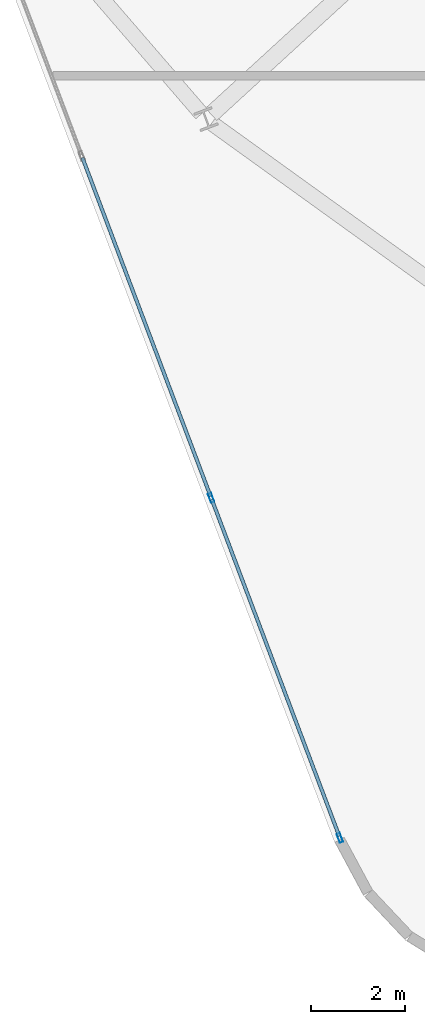
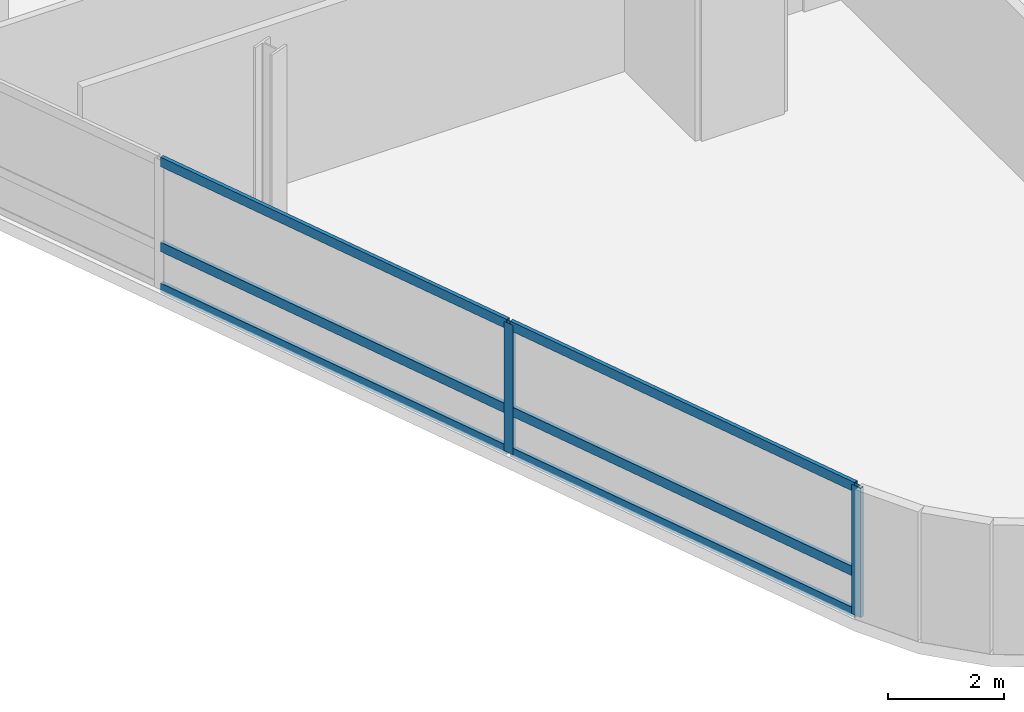
# One storey, part 3 of 19: 8 members, 1 element without a shape of its own.
"""IFC4 building model written with IfcOpenShell, lengths in metres."""

import ifcopenshell
import ifcopenshell.guid

model = None  # the IFC model being written
_history = None  # IfcOwnerHistory: only IFC2X3 demands one
_inside = {}  # id of a spatial element -> (the spatial element, [elements in it])
_under = {}  # id of a project, library or spatial element -> (it, [spatial elements below it])
_declared = {}  # id of a project -> (the project, [libraries it declares])
_typed = {}  # id of a type object -> (the type object, [elements of that type])
_made_of = {}  # id of a material, layer set ... -> (it, [elements and type objects made of it])


def new_model(schema):
    """Start an empty IFC model of exactly this schema.

    Asked for "IFC4X3", IfcOpenShell would pick the latest addendum, in which some entities
    have other attributes; the version numbers below select the first issue.
    IFC2X3 requires an IfcOwnerHistory on every rooted entity: one is made here for all.
    """
    global model, _history
    if schema == "IFC4X3":
        model = ifcopenshell.file(schema_version=(4, 3, 0, 0))
    else:
        model = ifcopenshell.file(schema=schema)
    _inside.clear()
    _under.clear()
    _declared.clear()
    _typed.clear()
    _made_of.clear()
    _history = None
    if model.schema == "IFC2X3":
        org = make("IfcOrganization", Name="unknown")
        user = make(
            "IfcPersonAndOrganization",
            ThePerson=make("IfcPerson", FamilyName="unknown"),
            TheOrganization=org,
        )
        app = make(
            "IfcApplication",
            ApplicationDeveloper=org,
            Version="unknown",
            ApplicationFullName="unknown",
            ApplicationIdentifier="unknown",
        )
        _history = make(
            "IfcOwnerHistory",
            OwningUser=user,
            OwningApplication=app,
            ChangeAction="ADDED",
            CreationDate=0,
        )
    return model


def make(cls, **values):
    """One entity of the class cls with the attributes given. An attribute that is None is left unset."""
    return model.create_entity(
        cls, **{name: value for name, value in values.items() if value is not None}
    )


def rooted(cls, **values):
    """An entity with a GlobalId (a new one), such as an element, a storey or a relation."""
    return make(cls, GlobalId=ifcopenshell.guid.new(), OwnerHistory=_history, **values)


def si_unit(unit_type, name, prefix=None):
    """IfcSIUnit, for example si_unit("LENGTHUNIT", "METRE", prefix="MILLI")."""
    return make("IfcSIUnit", UnitType=unit_type, Prefix=prefix, Name=name)


def assignment(units):
    """IfcUnitAssignment: the units of a project."""
    return None if units is None else make("IfcUnitAssignment", Units=units)


def point(xyz):
    """IfcCartesianPoint."""
    return None if xyz is None else make("IfcCartesianPoint", Coordinates=xyz)


def direction(xyz):
    """IfcDirection."""
    return None if xyz is None else make("IfcDirection", DirectionRatios=xyz)


def frame(location, z_axis=None, x_axis=None):
    """IfcAxis2Placement3D, a coordinate frame: its origin and axes. An axis left out is left unset."""
    return make(
        "IfcAxis2Placement3D",
        Location=point(location),
        Axis=direction(z_axis),
        RefDirection=direction(x_axis),
    )


def frame_2d(location, x_axis=None):
    """IfcAxis2Placement2D, a coordinate frame in the plane: its origin and x axis."""
    return make(
        "IfcAxis2Placement2D", Location=point(location), RefDirection=direction(x_axis)
    )


def origin():
    """The frame at (0, 0, 0) with its axes left unset."""
    return frame((0.0, 0.0, 0.0))


def origin_2d():
    """The frame at (0, 0) in the plane with its x axis left unset."""
    return frame_2d((0.0, 0.0))


def place(relative_to, where):
    """IfcLocalPlacement: puts the frame where relative to a parent placement (None: the world)."""
    return make(
        "IfcLocalPlacement", PlacementRelTo=relative_to, RelativePlacement=where
    )


def context(
    kind, dimensions, precision=None, world=None, true_north=None, identifier=None
):
    """IfcGeometricRepresentationContext, for example the 3D "Model" context."""
    return make(
        "IfcGeometricRepresentationContext",
        ContextIdentifier=identifier,
        ContextType=kind,
        CoordinateSpaceDimension=dimensions,
        Precision=precision,
        WorldCoordinateSystem=world,
        TrueNorth=true_north,
    )


def subcontext(parent, identifier, kind, view, scale=None):
    """IfcGeometricRepresentationSubContext, for example "Body" below "Model"."""
    return make(
        "IfcGeometricRepresentationSubContext",
        ContextIdentifier=identifier,
        ContextType=kind,
        ParentContext=parent,
        TargetScale=scale,
        TargetView=view,
    )


def project(units=None, contexts=None):
    """IfcProject with its units and contexts."""
    return rooted(
        "IfcProject",
        Name="project",
        RepresentationContexts=contexts,
        UnitsInContext=assignment(units),
    )


def spatial(cls, under=None, at=None, **own):
    """A site, building, storey or space (cls), placed at a placement, below another one or the project."""
    s = rooted(cls, ObjectPlacement=at, **own)
    if under is not None:
        _under.setdefault(under.id(), (under, []))[1].append(s)
    return s


def profile(cls, at=None, kind="AREA", **sizes):
    """A parametric profile (cls). Its sizes go by their IFC names, for example OverallWidth=200.0."""
    return make(cls, ProfileType=kind, Position=at, **sizes)


def hollow_rectangle(**sizes):
    """IfcRectangleHollowProfileDef."""
    return profile("IfcRectangleHollowProfileDef", **sizes)


def extrude(swept, where, along, depth):
    """IfcExtrudedAreaSolid: the profile swept, set in the frame where, extruded along a direction by depth."""
    return make(
        "IfcExtrudedAreaSolid",
        SweptArea=swept,
        Position=where,
        ExtrudedDirection=direction(along),
        Depth=depth,
    )


def shape(context_of_items, identifier, shape_type, items):
    """IfcShapeRepresentation: the items that make up one representation, for example the "Body"."""
    return make(
        "IfcShapeRepresentation",
        ContextOfItems=context_of_items,
        RepresentationIdentifier=identifier,
        RepresentationType=shape_type,
        Items=items,
    )


def material(Name=None, Category=None):
    """IfcMaterial."""
    return make("IfcMaterial", Name=Name, Category=Category)


def layer(
    of_material, thickness, ventilated=None, Name=None, Category=None, Priority=None
):
    """IfcMaterialLayer: one layer of a wall or slab, of a material (None: an air gap)."""
    return make(
        "IfcMaterialLayer",
        Material=of_material,
        LayerThickness=thickness,
        IsVentilated=ventilated,
        Name=Name,
        Category=Category,
        Priority=Priority,
    )


def layer_set(layers, Name=None):
    """IfcMaterialLayerSet."""
    return make("IfcMaterialLayerSet", MaterialLayers=layers, LayerSetName=Name)


def material_profile(
    of_material, cross_section, Name=None, Category=None, Priority=None
):
    """IfcMaterialProfile: a cross section and its material."""
    return make(
        "IfcMaterialProfile",
        Name=Name,
        Material=of_material,
        Profile=cross_section,
        Priority=Priority,
        Category=Category,
    )


def profile_set(profiles, Name=None, composite=None):
    """IfcMaterialProfileSet."""
    return make(
        "IfcMaterialProfileSet",
        Name=Name,
        MaterialProfiles=profiles,
        CompositeProfile=composite,
    )


def made_of(thing, what):
    """Note that an element or type object is made of a material, layer set ...; save() writes the relation."""
    if what is not None:
        _made_of.setdefault(what.id(), (what, []))[1].append(thing)
    return thing


def type_object(cls, material=None, **own):
    """A type object (cls), such as IfcWallType, which elements share."""
    return made_of(rooted(cls, **own), material)


def element(
    cls,
    number,
    at=None,
    inside=None,
    cuts=None,
    type_object=None,
    material=None,
    context=None,
    identifier="Body",
    shape_type=None,
    held_by="IfcProductDefinitionShape",
    body=None,
    shapes=None,
    **own,
):
    """One element of the class cls, such as IfcWall. Its Tag is "e" and its number.

    at: its placement. inside: the storey or other place that contains it. cuts: it is an
    opening in that element (IfcRelVoidsElement). A single representation is given by context,
    identifier, shape_type and body (its items); several are given by shapes. held_by: the class
    of the entity that holds the representations. save() writes the other relations.
    """
    e = rooted(cls, Tag="e%d" % number, ObjectPlacement=at, **own)
    if body is not None:
        shapes = [shape(context, identifier, shape_type, body)]
    if shapes is not None:
        e.Representation = make(held_by, Representations=shapes)
    if inside is not None:
        _inside.setdefault(inside.id(), (inside, []))[1].append(e)
    if cuts is not None:
        rooted(
            "IfcRelVoidsElement", RelatingBuildingElement=cuts, RelatedOpeningElement=e
        )
    if type_object is not None:
        _typed.setdefault(type_object.id(), (type_object, []))[1].append(e)
    return made_of(e, material)


def aggregate(whole, parts):
    """IfcRelAggregates: a whole, such as a stair, and the parts it consists of."""
    return rooted("IfcRelAggregates", RelatingObject=whole, RelatedObjects=parts)


def save(model, path):
    """Write the relations noted so far, then the file.

    IfcRelAggregates (storeys below a building ...), IfcRelContainedInSpatialStructure (elements
    in a storey), IfcRelDefinesByType, IfcRelAssociatesMaterial and IfcRelDeclares: one each for
    every whole, place, type object, material and project.
    """
    for whole, parts in _under.values():
        aggregate(whole, parts)
    for where, things in _inside.values():
        rooted(
            "IfcRelContainedInSpatialStructure",
            RelatedElements=things,
            RelatingStructure=where,
        )
    for kind, things in _typed.values():
        rooted("IfcRelDefinesByType", RelatedObjects=things, RelatingType=kind)
    for what, things in _made_of.values():
        rooted("IfcRelAssociatesMaterial", RelatedObjects=things, RelatingMaterial=what)
    for by, libraries in _declared.values():
        rooted("IfcRelDeclares", RelatingContext=by, RelatedDefinitions=libraries)
    model.write(path)


model = new_model("IFC4")

# Units and contexts
model_context = context("Model", 3, precision=1e-05, world=origin(), true_north=direction((0.0, 1.0)))
body_context = subcontext(model_context, "Body", "Model", "MODEL_VIEW")
ifc_project = project(units=[si_unit("LENGTHUNIT", "METRE"), si_unit("AREAUNIT", "SQUARE_METRE"), si_unit("VOLUMEUNIT", "CUBIC_METRE"), si_unit("PLANEANGLEUNIT", "RADIAN"), si_unit("MASSUNIT", "GRAM", prefix="KILO")], contexts=[model_context])

# Site, building, storey
site_placement = place(None, origin())
site = spatial("IfcSite", under=ifc_project, at=site_placement, CompositionType="ELEMENT")
building_placement = place(site_placement, origin())
building = spatial("IfcBuilding", under=site, at=building_placement, Name="Varnelok Gate Tower", CompositionType="ELEMENT")
storey_placement = place(building_placement, frame((0.0, 0.0, 231.199951171875)))
storey = spatial("IfcBuildingStorey", under=building, at=storey_placement, Name="L59", CompositionType="ELEMENT", Elevation=231.199951171875)

# Curtain wall, members
ifc_material = material(Name="Anodized Aluminum Alloy 6063-T6", Category="aluminium")
ifc_layer = layer(ifc_material, 0.179931640625)
ifc_layer_set = layer_set([ifc_layer], Name="Anodized Aluminum Alloy 6063-T6")
curtain_wall_type = type_object("IfcCurtainWallType", Name="CW4-RESIDENCE-VISION", PredefinedType="USERDEFINED", material=ifc_layer_set)
curtain_wall_placement = place(storey_placement, origin())
curtain_wall = element("IfcCurtainWall", 1, at=curtain_wall_placement, inside=storey, type_object=curtain_wall_type, Name="L59 West End Vision Curtain Wall", ObjectType="UNITISED CURTAIN WALL", PredefinedType="USERDEFINED")
ifc_material_profile_1 = material_profile(ifc_material, hollow_rectangle(XDim=0.074951171875, YDim=0.199951171875, WallThickness=0.00390625, at=origin_2d()), Name="ALU200X75X4")
ifc_profile_set_1 = profile_set([ifc_material_profile_1], Name="Anodized Aluminum Alloy 6063-T6")
member_type_1 = type_object("IfcMemberType", Name="CW-MULL-200", PredefinedType="MULLION", material=ifc_profile_set_1)
member_1_placement = place(storey_placement, frame((13.88525390625, -0.92431640625, 0.0), z_axis=(0.0, 0.0, 1.0), x_axis=(-0.935221557832, -0.354063042079, 0.0)))
member_1 = element("IfcMember", 2, at=member_1_placement, type_object=member_type_1, Name="CW4 mullion 1", PredefinedType="MULLION", context=body_context, shape_type="SweptSolid", body=[
    extrude(hollow_rectangle(XDim=0.074951171875, YDim=0.199951171875, WallThickness=0.00390625, at=origin_2d()), origin(), (0.0, 0.0, 1.0), 2.72998046875),
])
member_2_placement = place(storey_placement, frame((11.13671875, 6.33544921875, 0.0), z_axis=(0.0, 0.0, 1.0), x_axis=(-0.935221557832, -0.354063042079, 0.0)))
member_2 = element("IfcMember", 3, at=member_2_placement, type_object=member_type_1, Name="CW4 mullion 2", PredefinedType="MULLION", context=body_context, shape_type="SweptSolid", body=[
    extrude(hollow_rectangle(XDim=0.074951171875, YDim=0.199951171875, WallThickness=0.00390625, at=origin_2d()), origin(), (0.0, 0.0, 1.0), 2.72998046875),
])
ifc_material_profile_2 = material_profile(ifc_material, hollow_rectangle(XDim=0.074951171875, YDim=0.199951171875, WallThickness=0.00390625, at=origin_2d()), Name="ALU200X75X4")
ifc_profile_set_2 = profile_set([ifc_material_profile_2], Name="Anodized Aluminum Alloy 6063-T6")
member_type_2 = type_object("IfcMemberType", Name="CW-TRAN-200", PredefinedType="USERDEFINED", material=ifc_profile_set_2)
member_3_placement = place(storey_placement, frame((13.871826171875, -0.88916015625, 0.03759765625), z_axis=(-0.354045264669, 0.935228287941, 0.0), x_axis=(-0.935228287941, -0.354045264669, 0.0)))
member_3 = element("IfcMember", 4, at=member_3_placement, type_object=member_type_2, Name="CW4 transom 1.1", ObjectType="TRANSOM", PredefinedType="USERDEFINED", context=body_context, shape_type="SweptSolid", body=[
    extrude(hollow_rectangle(XDim=0.074951171875, YDim=0.199951171875, WallThickness=0.00390625, at=origin_2d()), origin(), (0.0, 0.0, 1.0), 7.687255859375),
])
member_4_placement = place(storey_placement, frame((13.871826171875, -0.88916015625, 0.900146484375), z_axis=(-0.354045264669, 0.935228287941, 0.0), x_axis=(-0.935228287941, -0.354045264669, 0.0)))
member_4 = element("IfcMember", 5, at=member_4_placement, type_object=member_type_2, Name="CW4 transom 1.2", ObjectType="TRANSOM", PredefinedType="USERDEFINED", context=body_context, shape_type="SweptSolid", body=[
    extrude(hollow_rectangle(XDim=0.074951171875, YDim=0.199951171875, WallThickness=0.00390625, at=origin_2d()), origin(), (0.0, 0.0, 1.0), 7.687255859375),
])
member_5_placement = place(storey_placement, frame((13.871826171875, -0.88916015625, 2.692626953125), z_axis=(-0.354045264669, 0.935228287941, 0.0), x_axis=(-0.935228287941, -0.354045264669, 0.0)))
member_5 = element("IfcMember", 6, at=member_5_placement, type_object=member_type_2, Name="CW4 transom 1.3", ObjectType="TRANSOM", PredefinedType="USERDEFINED", context=body_context, shape_type="SweptSolid", body=[
    extrude(hollow_rectangle(XDim=0.074951171875, YDim=0.199951171875, WallThickness=0.00390625, at=origin_2d()), origin(), (0.0, 0.0, 1.0), 7.687255859375),
])
member_6_placement = place(storey_placement, frame((11.12353515625, 6.370361328125, 0.03759765625), z_axis=(-0.354058714128, 0.935223196328, 0.0), x_axis=(-0.935223196328, -0.354058714128, 0.0)))
member_6 = element("IfcMember", 7, at=member_6_placement, type_object=member_type_2, Name="CW4 transom 2.1", ObjectType="TRANSOM", PredefinedType="USERDEFINED", context=body_context, shape_type="SweptSolid", body=[
    extrude(hollow_rectangle(XDim=0.074951171875, YDim=0.199951171875, WallThickness=0.00390625, at=origin_2d()), origin(), (0.0, 0.0, 1.0), 7.72509765625),
])
member_7_placement = place(storey_placement, frame((11.12353515625, 6.370361328125, 0.900146484375), z_axis=(-0.354058714128, 0.935223196328, 0.0), x_axis=(-0.935223196328, -0.354058714128, 0.0)))
member_7 = element("IfcMember", 8, at=member_7_placement, type_object=member_type_2, Name="CW4 transom 2.2", ObjectType="TRANSOM", PredefinedType="USERDEFINED", context=body_context, shape_type="SweptSolid", body=[
    extrude(hollow_rectangle(XDim=0.074951171875, YDim=0.199951171875, WallThickness=0.00390625, at=origin_2d()), origin(), (0.0, 0.0, 1.0), 7.72509765625),
])
member_8_placement = place(storey_placement, frame((11.12353515625, 6.370361328125, 2.692626953125), z_axis=(-0.354058714128, 0.935223196328, 0.0), x_axis=(-0.935223196328, -0.354058714128, 0.0)))
member_8 = element("IfcMember", 9, at=member_8_placement, type_object=member_type_2, Name="CW4 transom 2.3", ObjectType="TRANSOM", PredefinedType="USERDEFINED", context=body_context, shape_type="SweptSolid", body=[
    extrude(hollow_rectangle(XDim=0.074951171875, YDim=0.199951171875, WallThickness=0.00390625, at=origin_2d()), origin(), (0.0, 0.0, 1.0), 7.72509765625),
])
aggregate(curtain_wall, [member_1, member_2, member_3, member_4, member_5, member_6, member_7, member_8])

save(model, "model.ifc")
